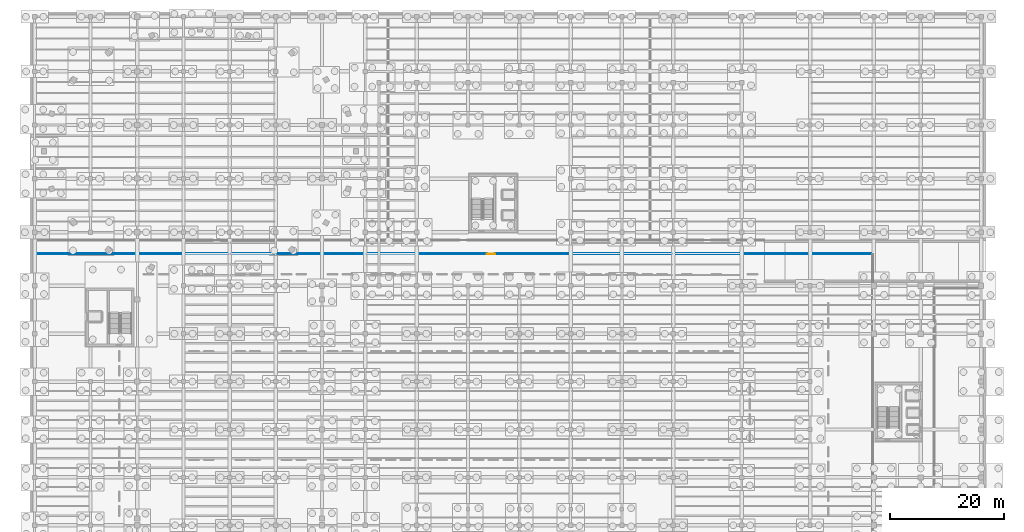
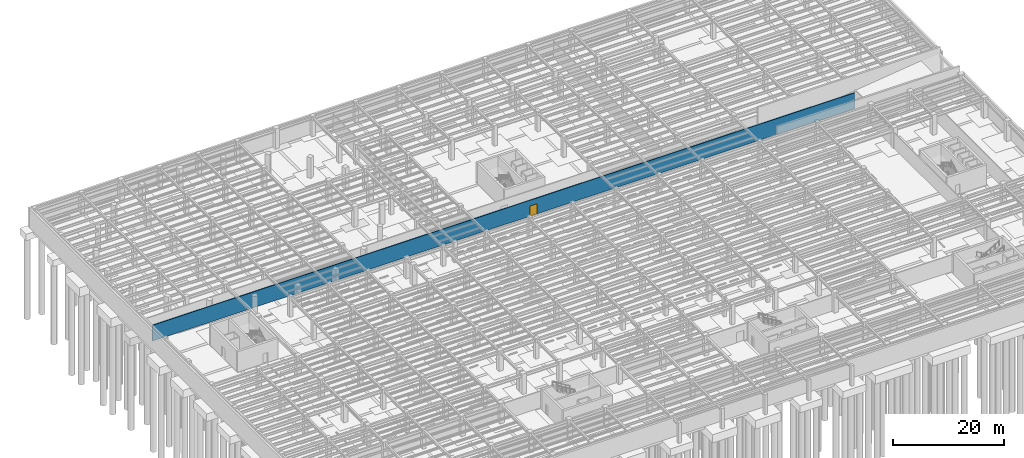
# One storey, part 37 of 49: 1 door, 1 wall, 1 opening.
"""IFC4 building model written with IfcOpenShell, lengths in metres."""

import ifcopenshell
import ifcopenshell.guid

model = None  # the IFC model being written
_history = None  # IfcOwnerHistory: only IFC2X3 demands one
_inside = {}  # id of a spatial element -> (the spatial element, [elements in it])
_under = {}  # id of a project, library or spatial element -> (it, [spatial elements below it])
_declared = {}  # id of a project -> (the project, [libraries it declares])
_typed = {}  # id of a type object -> (the type object, [elements of that type])
_made_of = {}  # id of a material, layer set ... -> (it, [elements and type objects made of it])


def new_model(schema):
    """Start an empty IFC model of exactly this schema.

    Asked for "IFC4X3", IfcOpenShell would pick the latest addendum, in which some entities
    have other attributes; the version numbers below select the first issue.
    IFC2X3 requires an IfcOwnerHistory on every rooted entity: one is made here for all.
    """
    global model, _history
    if schema == "IFC4X3":
        model = ifcopenshell.file(schema_version=(4, 3, 0, 0))
    else:
        model = ifcopenshell.file(schema=schema)
    _inside.clear()
    _under.clear()
    _declared.clear()
    _typed.clear()
    _made_of.clear()
    _history = None
    if model.schema == "IFC2X3":
        org = make("IfcOrganization", Name="unknown")
        user = make(
            "IfcPersonAndOrganization",
            ThePerson=make("IfcPerson", FamilyName="unknown"),
            TheOrganization=org,
        )
        app = make(
            "IfcApplication",
            ApplicationDeveloper=org,
            Version="unknown",
            ApplicationFullName="unknown",
            ApplicationIdentifier="unknown",
        )
        _history = make(
            "IfcOwnerHistory",
            OwningUser=user,
            OwningApplication=app,
            ChangeAction="ADDED",
            CreationDate=0,
        )
    return model


def make(cls, **values):
    """One entity of the class cls with the attributes given. An attribute that is None is left unset."""
    return model.create_entity(
        cls, **{name: value for name, value in values.items() if value is not None}
    )


def rooted(cls, **values):
    """An entity with a GlobalId (a new one), such as an element, a storey or a relation."""
    return make(cls, GlobalId=ifcopenshell.guid.new(), OwnerHistory=_history, **values)


def si_unit(unit_type, name, prefix=None):
    """IfcSIUnit, for example si_unit("LENGTHUNIT", "METRE", prefix="MILLI")."""
    return make("IfcSIUnit", UnitType=unit_type, Prefix=prefix, Name=name)


def assignment(units):
    """IfcUnitAssignment: the units of a project."""
    return None if units is None else make("IfcUnitAssignment", Units=units)


def point(xyz):
    """IfcCartesianPoint."""
    return None if xyz is None else make("IfcCartesianPoint", Coordinates=xyz)


def direction(xyz):
    """IfcDirection."""
    return None if xyz is None else make("IfcDirection", DirectionRatios=xyz)


def frame(location, z_axis=None, x_axis=None):
    """IfcAxis2Placement3D, a coordinate frame: its origin and axes. An axis left out is left unset."""
    return make(
        "IfcAxis2Placement3D",
        Location=point(location),
        Axis=direction(z_axis),
        RefDirection=direction(x_axis),
    )


def frame_2d(location, x_axis=None):
    """IfcAxis2Placement2D, a coordinate frame in the plane: its origin and x axis."""
    return make(
        "IfcAxis2Placement2D", Location=point(location), RefDirection=direction(x_axis)
    )


def origin():
    """The frame at (0, 0, 0) with its axes left unset."""
    return frame((0.0, 0.0, 0.0))


def place(relative_to, where):
    """IfcLocalPlacement: puts the frame where relative to a parent placement (None: the world)."""
    return make(
        "IfcLocalPlacement", PlacementRelTo=relative_to, RelativePlacement=where
    )


def context(
    kind, dimensions, precision=None, world=None, true_north=None, identifier=None
):
    """IfcGeometricRepresentationContext, for example the 3D "Model" context."""
    return make(
        "IfcGeometricRepresentationContext",
        ContextIdentifier=identifier,
        ContextType=kind,
        CoordinateSpaceDimension=dimensions,
        Precision=precision,
        WorldCoordinateSystem=world,
        TrueNorth=true_north,
    )


def subcontext(parent, identifier, kind, view, scale=None):
    """IfcGeometricRepresentationSubContext, for example "Body" below "Model"."""
    return make(
        "IfcGeometricRepresentationSubContext",
        ContextIdentifier=identifier,
        ContextType=kind,
        ParentContext=parent,
        TargetScale=scale,
        TargetView=view,
    )


def project(units=None, contexts=None):
    """IfcProject with its units and contexts."""
    return rooted(
        "IfcProject",
        Name="project",
        RepresentationContexts=contexts,
        UnitsInContext=assignment(units),
    )


def spatial(cls, under=None, at=None, **own):
    """A site, building, storey or space (cls), placed at a placement, below another one or the project."""
    s = rooted(cls, ObjectPlacement=at, **own)
    if under is not None:
        _under.setdefault(under.id(), (under, []))[1].append(s)
    return s


def profile(cls, at=None, kind="AREA", **sizes):
    """A parametric profile (cls). Its sizes go by their IFC names, for example OverallWidth=200.0."""
    return make(cls, ProfileType=kind, Position=at, **sizes)


def rectangle(**sizes):
    """IfcRectangleProfileDef."""
    return profile("IfcRectangleProfileDef", **sizes)


def extrude(swept, where, along, depth):
    """IfcExtrudedAreaSolid: the profile swept, set in the frame where, extruded along a direction by depth."""
    return make(
        "IfcExtrudedAreaSolid",
        SweptArea=swept,
        Position=where,
        ExtrudedDirection=direction(along),
        Depth=depth,
    )


def shape(context_of_items, identifier, shape_type, items):
    """IfcShapeRepresentation: the items that make up one representation, for example the "Body"."""
    return make(
        "IfcShapeRepresentation",
        ContextOfItems=context_of_items,
        RepresentationIdentifier=identifier,
        RepresentationType=shape_type,
        Items=items,
    )


def material(Name=None, Category=None):
    """IfcMaterial."""
    return make("IfcMaterial", Name=Name, Category=Category)


def layer(
    of_material, thickness, ventilated=None, Name=None, Category=None, Priority=None
):
    """IfcMaterialLayer: one layer of a wall or slab, of a material (None: an air gap)."""
    return make(
        "IfcMaterialLayer",
        Material=of_material,
        LayerThickness=thickness,
        IsVentilated=ventilated,
        Name=Name,
        Category=Category,
        Priority=Priority,
    )


def layer_set(layers, Name=None):
    """IfcMaterialLayerSet."""
    return make("IfcMaterialLayerSet", MaterialLayers=layers, LayerSetName=Name)


def made_of(thing, what):
    """Note that an element or type object is made of a material, layer set ...; save() writes the relation."""
    if what is not None:
        _made_of.setdefault(what.id(), (what, []))[1].append(thing)
    return thing


def type_object(cls, material=None, **own):
    """A type object (cls), such as IfcWallType, which elements share."""
    return made_of(rooted(cls, **own), material)


def element(
    cls,
    number,
    at=None,
    inside=None,
    cuts=None,
    type_object=None,
    material=None,
    context=None,
    identifier="Body",
    shape_type=None,
    held_by="IfcProductDefinitionShape",
    body=None,
    shapes=None,
    **own,
):
    """One element of the class cls, such as IfcWall. Its Tag is "e" and its number.

    at: its placement. inside: the storey or other place that contains it. cuts: it is an
    opening in that element (IfcRelVoidsElement). A single representation is given by context,
    identifier, shape_type and body (its items); several are given by shapes. held_by: the class
    of the entity that holds the representations. save() writes the other relations.
    """
    e = rooted(cls, Tag="e%d" % number, ObjectPlacement=at, **own)
    if body is not None:
        shapes = [shape(context, identifier, shape_type, body)]
    if shapes is not None:
        e.Representation = make(held_by, Representations=shapes)
    if inside is not None:
        _inside.setdefault(inside.id(), (inside, []))[1].append(e)
    if cuts is not None:
        rooted(
            "IfcRelVoidsElement", RelatingBuildingElement=cuts, RelatedOpeningElement=e
        )
    if type_object is not None:
        _typed.setdefault(type_object.id(), (type_object, []))[1].append(e)
    return made_of(e, material)


def fill(opening, filler):
    """IfcRelFillsElement: the door or window that sits in an opening."""
    return rooted(
        "IfcRelFillsElement",
        RelatingOpeningElement=opening,
        RelatedBuildingElement=filler,
    )


def aggregate(whole, parts):
    """IfcRelAggregates: a whole, such as a stair, and the parts it consists of."""
    return rooted("IfcRelAggregates", RelatingObject=whole, RelatedObjects=parts)


def save(model, path):
    """Write the relations noted so far, then the file.

    IfcRelAggregates (storeys below a building ...), IfcRelContainedInSpatialStructure (elements
    in a storey), IfcRelDefinesByType, IfcRelAssociatesMaterial and IfcRelDeclares: one each for
    every whole, place, type object, material and project.
    """
    for whole, parts in _under.values():
        aggregate(whole, parts)
    for where, things in _inside.values():
        rooted(
            "IfcRelContainedInSpatialStructure",
            RelatedElements=things,
            RelatingStructure=where,
        )
    for kind, things in _typed.values():
        rooted("IfcRelDefinesByType", RelatedObjects=things, RelatingType=kind)
    for what, things in _made_of.values():
        rooted("IfcRelAssociatesMaterial", RelatedObjects=things, RelatingMaterial=what)
    for by, libraries in _declared.values():
        rooted("IfcRelDeclares", RelatingContext=by, RelatedDefinitions=libraries)
    model.write(path)


model = new_model("IFC4")

# Units and contexts
model_context = context("Model", 3, precision=1e-05, world=origin(), true_north=direction((0.0, 1.0)))
body_context = subcontext(model_context, "Body", "Model", "MODEL_VIEW")
ifc_project = project(units=[si_unit("LENGTHUNIT", "METRE"), si_unit("AREAUNIT", "SQUARE_METRE"), si_unit("VOLUMEUNIT", "CUBIC_METRE"), si_unit("PLANEANGLEUNIT", "RADIAN"), si_unit("MASSUNIT", "GRAM", prefix="KILO")], contexts=[model_context])

# Site, building, storey
site_placement = place(None, origin())
site = spatial("IfcSite", under=ifc_project, at=site_placement, CompositionType="ELEMENT")
building_placement = place(site_placement, origin())
building = spatial("IfcBuilding", under=site, at=building_placement, Name="Sollismere Congress Hotel", CompositionType="ELEMENT")
storey_placement = place(building_placement, frame((0.0, 0.0, -4.5)))
storey = spatial("IfcBuildingStorey", under=building, at=storey_placement, Name="B1", CompositionType="ELEMENT", Elevation=-4.5)

# Wall, opening, door
ifc_material_1 = material(Name="Fire-Rated Acoustic Gypsum Partition")
ifc_layer = layer(ifc_material_1, 0.1650390625, Name="Fire-Rated Acoustic Gypsum Partition")
ifc_layer_set = layer_set([ifc_layer], Name="Fire-Rated Acoustic Gypsum Partition")
wall_type = type_object("IfcWallType", Name="WL-PRT165R", PredefinedType="PARTITIONING", material=ifc_layer_set)
wall_placement = place(storey_placement, frame((0.5, 72.39990234375, 0.0), z_axis=(0.0, 0.0, 1.0), x_axis=(1.0, 0.0, 0.0)))
wall = element("IfcWall", 1, at=wall_placement, inside=storey, type_object=wall_type, Name="Interior wall IW-B1-0760", PredefinedType="PARTITIONING", context=body_context, shape_type="SweptSolid", body=[
    extrude(rectangle(XDim=146.5, YDim=0.1650390625, at=frame_2d((73.25, 0.0))), origin(), (0.0, 0.0, 1.0), 3.50390625),
])
opening_placement = place(wall_placement, frame((78.75, 0.0, 0.0)))
opening = element("IfcOpeningElement", 2, at=opening_placement, cuts=wall, Name="Opening D-B1-0251", PredefinedType="OPENING", context=body_context, shape_type="SweptSolid", body=[
    extrude(rectangle(XDim=1.5, YDim=2.25, at=frame_2d((0.75, 1.125))), frame((0.0, 0.092529296875, 0.0), z_axis=(0.0, -1.0, 0.0), x_axis=(1.0, 0.0, 0.0)), (0.0, 0.0, 1.0), 0.18505859375),
])
ifc_material_2 = material(Name="Fire-Rated Double Plant Room Door")
door_type = type_object("IfcDoorType", Name="DR-PL150", OperationType="NOTDEFINED", PredefinedType="DOOR", material=ifc_material_2)
door_placement = place(opening_placement, origin())
door = element("IfcDoor", 3, at=door_placement, inside=storey, type_object=door_type, Name="Interior door D-B1-0251", OperationType="DOUBLE_DOOR_SINGLE_SWING", OverallHeight=2.25, OverallWidth=1.5, PredefinedType="DOOR", context=body_context, shape_type="SweptSolid", body=[
    extrude(rectangle(XDim=1.5, YDim=2.25, at=frame_2d((0.75, 1.125))), frame((0.0, 0.02490234375, 0.0), z_axis=(0.0, -1.0, 0.0), x_axis=(1.0, 0.0, 0.0)), (0.0, 0.0, 1.0), 0.050048828125),
])
fill(opening, door)

save(model, "model.ifc")
